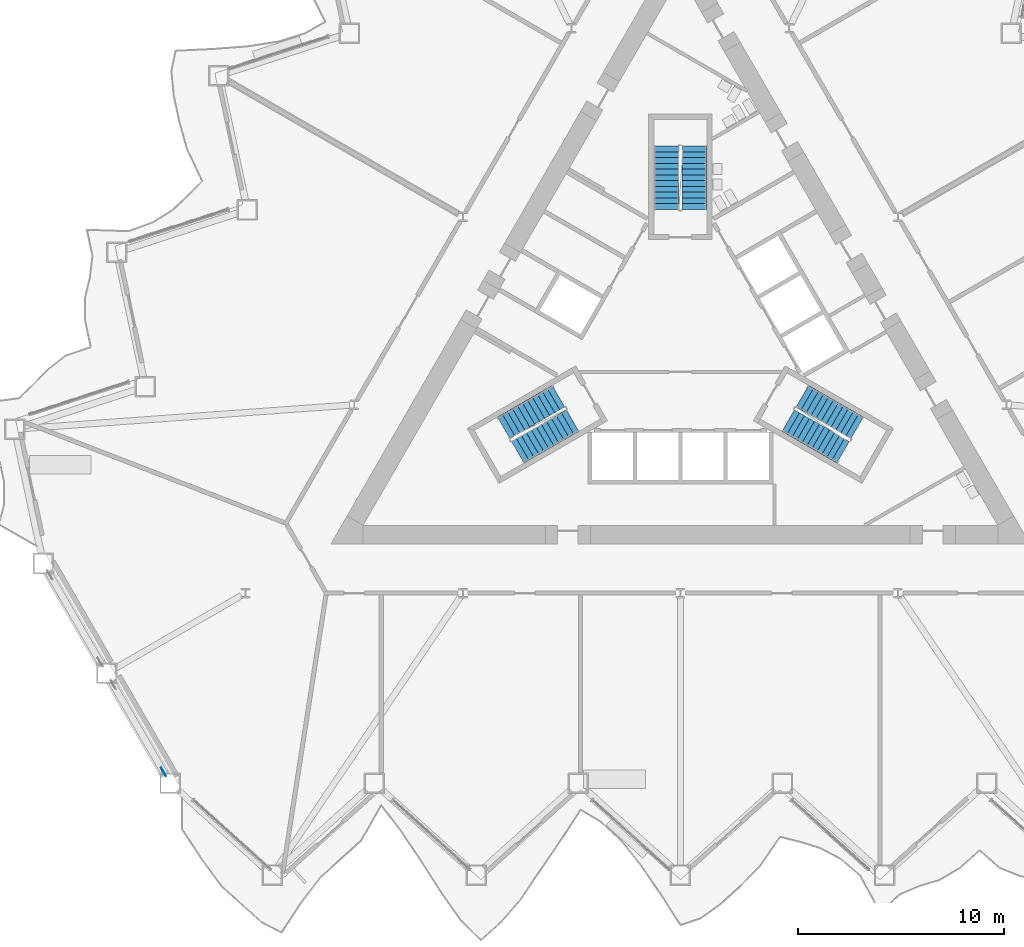
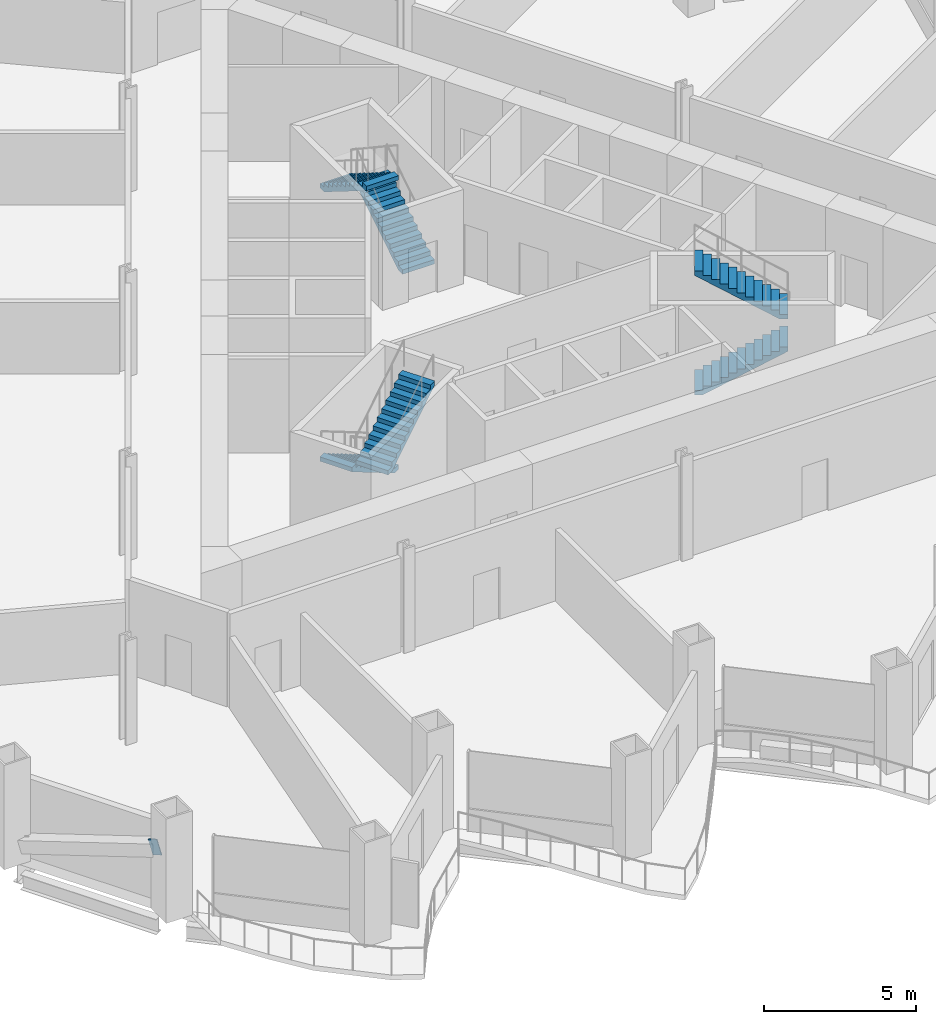
# One storey, part 13 of 21: 6 stair flights, 1 discrete accessory, 3 elements without a shape of their own.
"""IFC4 building model written with IfcOpenShell, lengths in metres."""

from ifc_helpers import new_model, si_unit, direction, frame, origin, origin_2d, place, context, subcontext, project, spatial, polyline, rectangle, outline, extrude, material, material_profile, profile_set, type_object, element, aggregate, save


model = new_model("IFC4")

# Units and contexts
model_context = context("Model", 3, precision=1e-05, world=origin(), true_north=direction((0.0, 1.0)))
body_context = subcontext(model_context, "Body", "Model", "MODEL_VIEW")
ifc_project = project(units=[si_unit("LENGTHUNIT", "METRE"), si_unit("AREAUNIT", "SQUARE_METRE"), si_unit("VOLUMEUNIT", "CUBIC_METRE"), si_unit("PLANEANGLEUNIT", "RADIAN"), si_unit("MASSUNIT", "GRAM", prefix="KILO")], contexts=[model_context])

# Site, building, storey
site_placement = place(None, origin())
site = spatial("IfcSite", under=ifc_project, at=site_placement, CompositionType="ELEMENT")
building_placement = place(site_placement, origin())
building = spatial("IfcBuilding", under=site, at=building_placement, Name="Cormorant Prow Tower", CompositionType="ELEMENT")
storey_placement = place(building_placement, frame((0.0, 0.0, 51.0)))
storey = spatial("IfcBuildingStorey", under=building, at=storey_placement, Name="L10", CompositionType="ELEMENT", Elevation=51.0)

# Stair, stair flights
ifc_material_1 = material(Name="Exit stair 24 risers")
stair_type = type_object("IfcStairType", Name="Exit stair 24 risers", PredefinedType="HALF_TURN_STAIR", material=ifc_material_1)
stair_1_placement = place(storey_placement, origin())
stair_1 = element("IfcStair", 1, at=stair_1_placement, inside=storey, type_object=stair_type, Name="L10 Exit stair ST1", PredefinedType="HALF_TURN_STAIR")
ifc_material_2 = material(Name="Concrete 5000 psi", Category="concrete")
stair_flight_type = type_object("IfcStairFlightType", Name="Stair flight 1219", PredefinedType="STRAIGHT", material=ifc_material_2)
stair_flight_1_placement = place(storey_placement, frame((-5.93310546875, -2.635009765625, 0.0), z_axis=(0.0, 0.0, 1.0), x_axis=(-0.866025403784, -0.5, 0.0)))
stair_flight_1 = element("IfcStairFlight", 2, at=stair_flight_1_placement, type_object=stair_flight_type, Name="ST1 flight 1", NumberOfRisers=12, NumberOfTreads=11, PredefinedType="STRAIGHT", RiserHeight=0.175, TreadLength=0.28, context=body_context, shape_type="SweptSolid", body=[
    extrude(outline(polyline([(0.0, 0.0), (0.0, 0.175048828125), (0.280029296875, 0.175048828125), (0.280029296875, 0.35009765625), (0.56005859375, 0.35009765625), (0.56005859375, 0.52490234375), (0.840087890625, 0.52490234375), (0.840087890625, 0.699951171875), (1.1201171875, 0.699951171875), (1.1201171875, 0.875), (1.39990234375, 0.875), (1.39990234375, 1.050048828125), (1.679931640625, 1.050048828125), (1.679931640625, 1.22509765625), (1.9599609375, 1.22509765625), (1.9599609375, 1.39990234375), (2.239990234375, 1.39990234375), (2.239990234375, 1.574951171875), (2.52001953125, 1.574951171875), (2.52001953125, 1.75), (2.800048828125, 1.75), (2.800048828125, 1.925048828125), (3.080078125, 1.925048828125), (3.080078125, 2.10009765625), (3.080078125, 1.748291015625), (0.28271484375, 0.0), (0.0, 0.0)])), frame((0.0, 0.609375, 0.0), z_axis=(0.0, -1.0, 0.0), x_axis=(1.0, 0.0, 0.0)), (0.0, 0.0, 1.0), 1.218994140625),
])
stair_flight_2_placement = place(storey_placement, frame((-7.916015625, -5.360595703125, 2.10009765625), z_axis=(0.0, 0.0, 1.0), x_axis=(0.866025403784, 0.5, 0.0)))
stair_flight_2 = element("IfcStairFlight", 3, at=stair_flight_2_placement, type_object=stair_flight_type, Name="ST1 flight 2", NumberOfRisers=12, NumberOfTreads=11, PredefinedType="STRAIGHT", RiserHeight=0.175, TreadLength=0.28, context=body_context, shape_type="SweptSolid", body=[
    extrude(outline(polyline([(0.0, 0.0), (0.0, 0.175048828125), (0.280029296875, 0.175048828125), (0.280029296875, 0.35009765625), (0.56005859375, 0.35009765625), (0.56005859375, 0.52490234375), (0.840087890625, 0.52490234375), (0.840087890625, 0.699951171875), (1.1201171875, 0.699951171875), (1.1201171875, 0.875), (1.39990234375, 0.875), (1.39990234375, 1.050048828125), (1.679931640625, 1.050048828125), (1.679931640625, 1.22509765625), (1.9599609375, 1.22509765625), (1.9599609375, 1.39990234375), (2.239990234375, 1.39990234375), (2.239990234375, 1.574951171875), (2.52001953125, 1.574951171875), (2.52001953125, 1.75), (2.800048828125, 1.75), (2.800048828125, 1.925048828125), (3.080078125, 1.925048828125), (3.080078125, 2.10009765625), (3.080078125, 1.748291015625), (0.28271484375, 0.0), (0.0, 0.0)])), frame((0.0, 0.609375, 0.0), z_axis=(0.0, -1.0, 0.0), x_axis=(1.0, 0.0, 0.0)), (0.0, 0.0, 1.0), 1.218994140625),
])
aggregate(stair_1, [stair_flight_1, stair_flight_2])

stair_2_placement = place(storey_placement, origin())
stair_2 = element("IfcStair", 4, at=stair_2_placement, inside=storey, type_object=stair_type, Name="L10 Exit stair ST2", PredefinedType="HALF_TURN_STAIR")
stair_flight_3_placement = place(storey_placement, frame((5.24853515625, -3.82080078125, 0.0), z_axis=(0.0, 0.0, 1.0), x_axis=(0.866025403784, -0.5, 0.0)))
stair_flight_3 = element("IfcStairFlight", 5, at=stair_flight_3_placement, type_object=stair_flight_type, Name="ST2 flight 1", NumberOfRisers=12, NumberOfTreads=11, PredefinedType="STRAIGHT", RiserHeight=0.175, TreadLength=0.28, context=body_context, shape_type="SweptSolid", body=[
    extrude(outline(polyline([(0.0, 0.0), (0.0, 0.175048828125), (0.280029296875, 0.175048828125), (0.280029296875, 0.35009765625), (0.56005859375, 0.35009765625), (0.56005859375, 0.52490234375), (0.840087890625, 0.52490234375), (0.840087890625, 0.699951171875), (1.1201171875, 0.699951171875), (1.1201171875, 0.875), (1.39990234375, 0.875), (1.39990234375, 1.050048828125), (1.679931640625, 1.050048828125), (1.679931640625, 1.22509765625), (1.9599609375, 1.22509765625), (1.9599609375, 1.39990234375), (2.239990234375, 1.39990234375), (2.239990234375, 1.574951171875), (2.52001953125, 1.574951171875), (2.52001953125, 1.75), (2.800048828125, 1.75), (2.800048828125, 1.925048828125), (3.080078125, 1.925048828125), (3.080078125, 2.10009765625), (3.080078125, 1.748291015625), (0.28271484375, 0.0), (0.0, 0.0)])), frame((0.0, 0.609375, 0.0), z_axis=(0.0, -1.0, 0.0), x_axis=(1.0, 0.0, 0.0)), (0.0, 0.0, 1.0), 1.218994140625),
])
stair_flight_4_placement = place(storey_placement, frame((8.6005859375, -4.175048828125, 2.10009765625), z_axis=(0.0, 0.0, 1.0), x_axis=(-0.866025403784, 0.5, 0.0)))
stair_flight_4 = element("IfcStairFlight", 6, at=stair_flight_4_placement, type_object=stair_flight_type, Name="ST2 flight 2", NumberOfRisers=12, NumberOfTreads=11, PredefinedType="STRAIGHT", RiserHeight=0.175, TreadLength=0.28, context=body_context, shape_type="SweptSolid", body=[
    extrude(outline(polyline([(0.0, 0.0), (0.0, 0.175048828125), (0.280029296875, 0.175048828125), (0.280029296875, 0.35009765625), (0.56005859375, 0.35009765625), (0.56005859375, 0.52490234375), (0.840087890625, 0.52490234375), (0.840087890625, 0.699951171875), (1.1201171875, 0.699951171875), (1.1201171875, 0.875), (1.39990234375, 0.875), (1.39990234375, 1.050048828125), (1.679931640625, 1.050048828125), (1.679931640625, 1.22509765625), (1.9599609375, 1.22509765625), (1.9599609375, 1.39990234375), (2.239990234375, 1.39990234375), (2.239990234375, 1.574951171875), (2.52001953125, 1.574951171875), (2.52001953125, 1.75), (2.800048828125, 1.75), (2.800048828125, 1.925048828125), (3.080078125, 1.925048828125), (3.080078125, 2.10009765625), (3.080078125, 1.748291015625), (0.28271484375, 0.0), (0.0, 0.0)])), frame((0.0, 0.609375, 0.0), z_axis=(0.0, -1.0, 0.0), x_axis=(1.0, 0.0, 0.0)), (0.0, 0.0, 1.0), 1.218994140625),
])
aggregate(stair_2, [stair_flight_3, stair_flight_4])

stair_3_placement = place(storey_placement, origin())
stair_3 = element("IfcStair", 7, at=stair_3_placement, inside=storey, type_object=stair_type, Name="L10 Exit stair ST3", PredefinedType="HALF_TURN_STAIR")
stair_flight_5_placement = place(storey_placement, frame((0.6845703125, 6.455810546875, 0.0), z_axis=(0.0, 0.0, 1.0), x_axis=(0.0, 1.0, 0.0)))
stair_flight_5 = element("IfcStairFlight", 8, at=stair_flight_5_placement, type_object=stair_flight_type, Name="ST3 flight 1", NumberOfRisers=12, NumberOfTreads=11, PredefinedType="STRAIGHT", RiserHeight=0.175, TreadLength=0.28, context=body_context, shape_type="SweptSolid", body=[
    extrude(outline(polyline([(0.0, 0.0), (0.0, 0.175048828125), (0.280029296875, 0.175048828125), (0.280029296875, 0.35009765625), (0.56005859375, 0.35009765625), (0.56005859375, 0.52490234375), (0.840087890625, 0.52490234375), (0.840087890625, 0.699951171875), (1.1201171875, 0.699951171875), (1.1201171875, 0.875), (1.39990234375, 0.875), (1.39990234375, 1.050048828125), (1.679931640625, 1.050048828125), (1.679931640625, 1.22509765625), (1.9599609375, 1.22509765625), (1.9599609375, 1.39990234375), (2.239990234375, 1.39990234375), (2.239990234375, 1.574951171875), (2.52001953125, 1.574951171875), (2.52001953125, 1.75), (2.800048828125, 1.75), (2.800048828125, 1.925048828125), (3.080078125, 1.925048828125), (3.080078125, 2.10009765625), (3.080078125, 1.748291015625), (0.28271484375, 0.0), (0.0, 0.0)])), frame((0.0, 0.609375, 0.0), z_axis=(0.0, -1.0, 0.0), x_axis=(1.0, 0.0, 0.0)), (0.0, 0.0, 1.0), 1.218994140625),
])
stair_flight_6_placement = place(storey_placement, frame((-0.6845703125, 9.535888671875, 2.10009765625), z_axis=(0.0, 0.0, 1.0), x_axis=(0.0, -1.0, 0.0)))
stair_flight_6 = element("IfcStairFlight", 9, at=stair_flight_6_placement, type_object=stair_flight_type, Name="ST3 flight 2", NumberOfRisers=12, NumberOfTreads=11, PredefinedType="STRAIGHT", RiserHeight=0.175, TreadLength=0.28, context=body_context, shape_type="SweptSolid", body=[
    extrude(outline(polyline([(0.0, 0.0), (0.0, 0.175048828125), (0.280029296875, 0.175048828125), (0.280029296875, 0.35009765625), (0.56005859375, 0.35009765625), (0.56005859375, 0.52490234375), (0.840087890625, 0.52490234375), (0.840087890625, 0.699951171875), (1.1201171875, 0.699951171875), (1.1201171875, 0.875), (1.39990234375, 0.875), (1.39990234375, 1.050048828125), (1.679931640625, 1.050048828125), (1.679931640625, 1.22509765625), (1.9599609375, 1.22509765625), (1.9599609375, 1.39990234375), (2.239990234375, 1.39990234375), (2.239990234375, 1.574951171875), (2.52001953125, 1.574951171875), (2.52001953125, 1.75), (2.800048828125, 1.75), (2.800048828125, 1.925048828125), (3.080078125, 1.925048828125), (3.080078125, 2.10009765625), (3.080078125, 1.748291015625), (0.28271484375, 0.0), (0.0, 0.0)])), frame((0.0, 0.609375, 0.0), z_axis=(0.0, -1.0, 0.0), x_axis=(1.0, 0.0, 0.0)), (0.0, 0.0, 1.0), 1.218994140625),
])
aggregate(stair_3, [stair_flight_5, stair_flight_6])

# Discrete accessory
ifc_material_3 = material(Name="Structural steel ASTM A500 Gr C", Category="steel")
ifc_material_profile = material_profile(ifc_material_3, rectangle(XDim=0.031982421875, YDim=0.60791015625, at=origin_2d()), Name="Gusset plate 32x608")
ifc_profile_set = profile_set([ifc_material_profile], Name="Structural steel ASTM A500 Gr C")
discrete_accessory_type = type_object("IfcDiscreteAccessoryType", Name="Gusset plate 32x608", PredefinedType="BRACKET", material=ifc_profile_set)
discrete_accessory_placement = place(storey_placement, frame((-25.232421875, -20.763427734375, 2.32958984375), z_axis=(0.475651503409, -0.824369614413, 0.306871937683), x_axis=(0.866161185697, 0.499764745047, 0.0)))
element("IfcDiscreteAccessory", 10, at=discrete_accessory_placement, inside=storey, type_object=discrete_accessory_type, Name="Gusset plate GP1 L10.WSW01.g1", PredefinedType="BRACKET", context=body_context, shape_type="SweptSolid", body=[
    extrude(rectangle(XDim=0.031982421875, YDim=0.60791015625, at=origin_2d()), origin(), (0.0, 0.0, 1.0), 0.35009765625),
])

save(model, "model.ifc")
